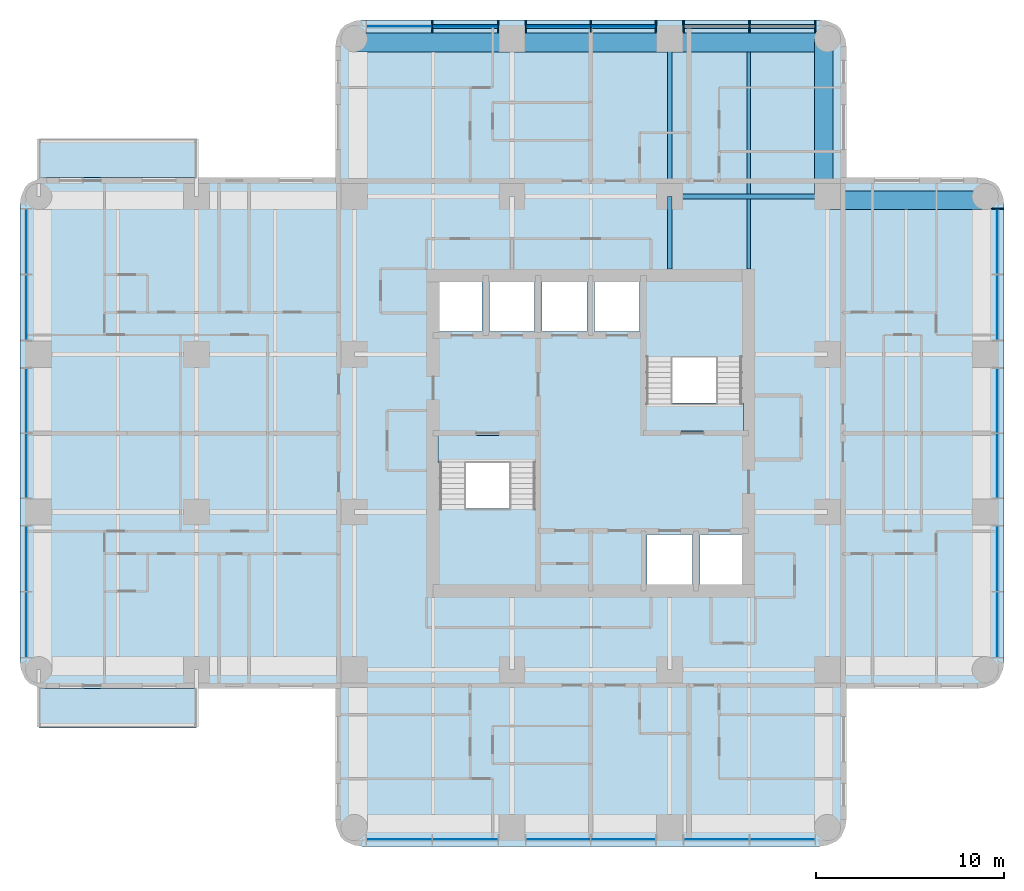
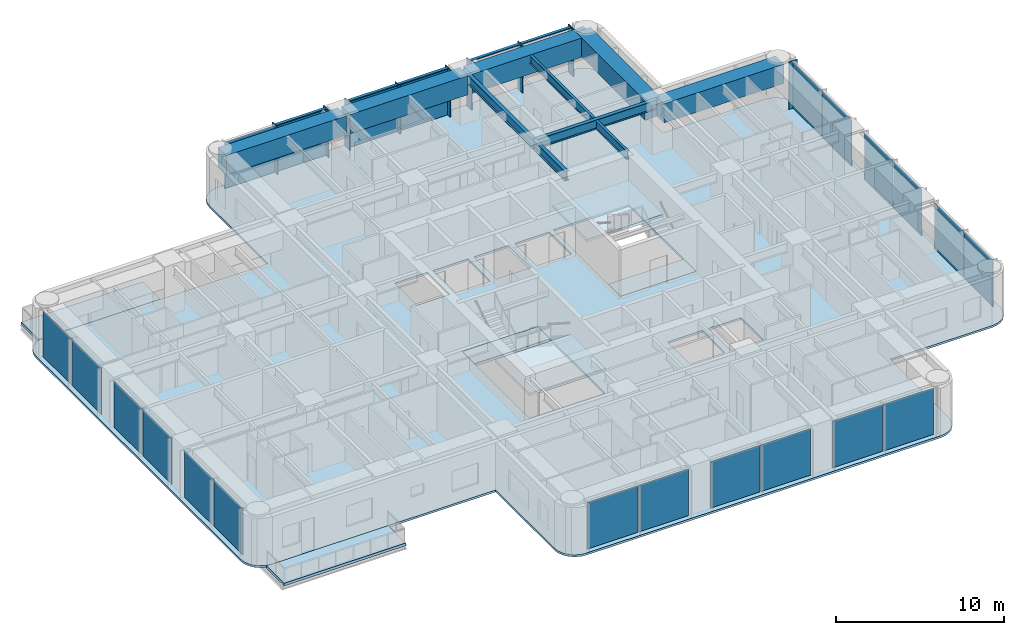
# One storey, part 3 of 11: 22 plates, 14 members, 10 beams, 7 slabs, 6 elements without a shape of their own.
"""IFC4 building model written with IfcOpenShell, lengths in metres."""

from ifc_helpers import new_model, si_unit, direction, frame, origin, origin_2d, place, context, subcontext, project, spatial, polyline, rectangle, i_section, outline, extrude, material, layer, layer_set, material_profile, profile_set, type_object, element, aggregate, save


model = new_model("IFC4")

# Units and contexts
model_context = context("Model", 3, precision=1e-05, world=origin(), true_north=direction((0.0, 1.0)))
body_context = subcontext(model_context, "Body", "Model", "MODEL_VIEW")
ifc_project = project(units=[si_unit("LENGTHUNIT", "METRE"), si_unit("AREAUNIT", "SQUARE_METRE"), si_unit("VOLUMEUNIT", "CUBIC_METRE"), si_unit("PLANEANGLEUNIT", "RADIAN"), si_unit("MASSUNIT", "GRAM", prefix="KILO")], contexts=[model_context])

# Site, building, storey
site_placement = place(None, origin())
site = spatial("IfcSite", under=ifc_project, at=site_placement, CompositionType="ELEMENT")
building_placement = place(site_placement, origin())
building = spatial("IfcBuilding", under=site, at=building_placement, Name="Torre Alcanfor", CompositionType="ELEMENT")
storey_placement = place(building_placement, frame((0.0, 0.0, 204.89990234375)))
storey = spatial("IfcBuildingStorey", under=building, at=storey_placement, Name="L53", CompositionType="ELEMENT", Elevation=204.89990234375)

# Curtain wall, member
ifc_material_1 = material(Name="Aluminium and glass", Category="aluminium")
curtain_wall_type = type_object("IfcCurtainWallType", Name="CW-A unitised apartment glazing with vertical FIN", PredefinedType="NOTDEFINED", material=ifc_material_1)
curtain_wall_1_placement = place(storey_placement, origin())
curtain_wall_1 = element("IfcCurtainWall", 1, at=curtain_wall_1_placement, inside=storey, type_object=curtain_wall_type, Name="Curtain wall CW-A L53 8", PredefinedType="NOTDEFINED")
ifc_material_2 = material(Name="Bronze anodised aluminium", Category="aluminium")
ifc_material_profile_1 = material_profile(ifc_material_2, rectangle(XDim=0.60009765625, YDim=0.06494140625, at=origin_2d()), Name="CW-A mullion 65x600")
ifc_profile_set_1 = profile_set([ifc_material_profile_1], Name="Bronze anodised aluminium")
member_type_1 = type_object("IfcMemberType", Name="CW-A mullion with vertical FIN 65x600", PredefinedType="MULLION", material=ifc_profile_set_1)
member_1_placement = place(storey_placement, frame((51.050048828125, 41.35546875, 0.0), z_axis=(0.0, 0.0, 1.0), x_axis=(-1.0, 0.0, 0.0)))
member_1 = element("IfcMember", 2, at=member_1_placement, type_object=member_type_1, Name="CW-A mullion 3.3", PredefinedType="MULLION", context=body_context, shape_type="SweptSolid", body=[
    extrude(rectangle(XDim=0.60009765625, YDim=0.06494140625, at=origin_2d()), origin(), (0.0, 0.0, 1.0), 3.4501953125),
])

# Curtain wall, members
curtain_wall_2_placement = place(storey_placement, origin())
curtain_wall_2 = element("IfcCurtainWall", 3, at=curtain_wall_2_placement, inside=storey, type_object=curtain_wall_type, Name="Curtain wall CW-A L53 11", PredefinedType="NOTDEFINED")
member_2_placement = place(storey_placement, frame((41.35546875, 51.050048828125, 0.0), z_axis=(0.0, 0.0, 1.0), x_axis=(0.0, -1.0, 0.0)))
member_2 = element("IfcMember", 4, at=member_2_placement, type_object=member_type_1, Name="CW-A mullion 1.1", PredefinedType="MULLION", context=body_context, shape_type="SweptSolid", body=[
    extrude(rectangle(XDim=0.60009765625, YDim=0.06494140625, at=origin_2d()), origin(), (0.0, 0.0, 1.0), 3.4501953125),
])
member_3_placement = place(storey_placement, frame((37.846435546875, 51.050048828125, 0.0), z_axis=(0.0, 0.0, 1.0), x_axis=(0.0, -1.0, 0.0)))
member_3 = element("IfcMember", 5, at=member_3_placement, type_object=member_type_1, Name="CW-A mullion 1.2", PredefinedType="MULLION", context=body_context, shape_type="SweptSolid", body=[
    extrude(rectangle(XDim=0.60009765625, YDim=0.06494140625, at=origin_2d()), origin(), (0.0, 0.0, 1.0), 3.4501953125),
])
member_4_placement = place(storey_placement, frame((34.33740234375, 51.050048828125, 0.0), z_axis=(0.0, 0.0, 1.0), x_axis=(0.0, -1.0, 0.0)))
member_4 = element("IfcMember", 6, at=member_4_placement, type_object=member_type_1, Name="CW-A mullion 1.3", PredefinedType="MULLION", context=body_context, shape_type="SweptSolid", body=[
    extrude(rectangle(XDim=0.60009765625, YDim=0.06494140625, at=origin_2d()), origin(), (0.0, 0.0, 1.0), 3.4501953125),
])
member_5_placement = place(storey_placement, frame((32.862548828125, 51.050048828125, 0.0), z_axis=(0.0, 0.0, 1.0), x_axis=(0.0, -1.0, 0.0)))
member_5 = element("IfcMember", 7, at=member_5_placement, type_object=member_type_1, Name="CW-A mullion 2.1", PredefinedType="MULLION", context=body_context, shape_type="SweptSolid", body=[
    extrude(rectangle(XDim=0.60009765625, YDim=0.06494140625, at=origin_2d()), origin(), (0.0, 0.0, 1.0), 3.4501953125),
])
member_6_placement = place(storey_placement, frame((29.39990234375, 51.050048828125, 0.0), z_axis=(0.0, 0.0, 1.0), x_axis=(0.0, -1.0, 0.0)))
member_6 = element("IfcMember", 8, at=member_6_placement, type_object=member_type_1, Name="CW-A mullion 2.2", PredefinedType="MULLION", context=body_context, shape_type="SweptSolid", body=[
    extrude(rectangle(XDim=0.60009765625, YDim=0.06494140625, at=origin_2d()), origin(), (0.0, 0.0, 1.0), 3.4501953125),
])
member_7_placement = place(storey_placement, frame((25.9375, 51.050048828125, 0.0), z_axis=(0.0, 0.0, 1.0), x_axis=(0.0, -1.0, 0.0)))
member_7 = element("IfcMember", 9, at=member_7_placement, type_object=member_type_1, Name="CW-A mullion 2.3", PredefinedType="MULLION", context=body_context, shape_type="SweptSolid", body=[
    extrude(rectangle(XDim=0.60009765625, YDim=0.06494140625, at=origin_2d()), origin(), (0.0, 0.0, 1.0), 3.4501953125),
])
member_8_placement = place(storey_placement, frame((24.46240234375, 51.050048828125, 0.0), z_axis=(0.0, 0.0, 1.0), x_axis=(0.0, -1.0, 0.0)))
member_8 = element("IfcMember", 10, at=member_8_placement, type_object=member_type_1, Name="CW-A mullion 3.1", PredefinedType="MULLION", context=body_context, shape_type="SweptSolid", body=[
    extrude(rectangle(XDim=0.60009765625, YDim=0.06494140625, at=origin_2d()), origin(), (0.0, 0.0, 1.0), 3.4501953125),
])
member_9_placement = place(storey_placement, frame((20.95361328125, 51.050048828125, 0.0), z_axis=(0.0, 0.0, 1.0), x_axis=(0.0, -1.0, 0.0)))
member_9 = element("IfcMember", 11, at=member_9_placement, type_object=member_type_1, Name="CW-A mullion 3.2", PredefinedType="MULLION", context=body_context, shape_type="SweptSolid", body=[
    extrude(rectangle(XDim=0.60009765625, YDim=0.06494140625, at=origin_2d()), origin(), (0.0, 0.0, 1.0), 3.4501953125),
])
ifc_material_3 = material(Name="Extruded aluminium", Category="aluminium")
ifc_material_profile_2 = material_profile(ifc_material_3, rectangle(XDim=0.199951171875, YDim=0.06494140625, at=origin_2d()), Name="CW-A transom 200x65")
ifc_profile_set_2 = profile_set([ifc_material_profile_2], Name="Extruded aluminium")
member_type_2 = type_object("IfcMemberType", Name="CW-A transom 65x200", PredefinedType="USERDEFINED", material=ifc_profile_set_2)
member_10_placement = place(storey_placement, frame((41.322998046875, 51.050048828125, 3.41748046875), z_axis=(-1.0, 0.0, 0.0), x_axis=(0.0, -1.0, 0.0)))
member_10 = element("IfcMember", 12, at=member_10_placement, type_object=member_type_2, Name="CW-A transom 1.1.2", ObjectType="TRANSOM", PredefinedType="USERDEFINED", context=body_context, shape_type="SweptSolid", body=[
    extrude(rectangle(XDim=0.199951171875, YDim=0.06494140625, at=origin_2d()), origin(), (0.0, 0.0, 1.0), 3.444091796875),
])
member_11_placement = place(storey_placement, frame((37.81396484375, 51.050048828125, 3.41748046875), z_axis=(-1.0, 0.0, 0.0), x_axis=(0.0, -1.0, 0.0)))
member_11 = element("IfcMember", 13, at=member_11_placement, type_object=member_type_2, Name="CW-A transom 1.2.2", ObjectType="TRANSOM", PredefinedType="USERDEFINED", context=body_context, shape_type="SweptSolid", body=[
    extrude(rectangle(XDim=0.199951171875, YDim=0.06494140625, at=origin_2d()), origin(), (0.0, 0.0, 1.0), 3.44384765625),
])
member_12_placement = place(storey_placement, frame((32.830078125, 51.050048828125, 3.41748046875), z_axis=(-1.0, 0.0, 0.0), x_axis=(0.0, -1.0, 0.0)))
member_12 = element("IfcMember", 14, at=member_12_placement, type_object=member_type_2, Name="CW-A transom 2.1.2", ObjectType="TRANSOM", PredefinedType="USERDEFINED", context=body_context, shape_type="SweptSolid", body=[
    extrude(rectangle(XDim=0.199951171875, YDim=0.06494140625, at=origin_2d()), origin(), (0.0, 0.0, 1.0), 3.3974609375),
])
member_13_placement = place(storey_placement, frame((29.367431640625, 51.050048828125, 3.41748046875), z_axis=(-1.0, 0.0, 0.0), x_axis=(0.0, -1.0, 0.0)))
member_13 = element("IfcMember", 15, at=member_13_placement, type_object=member_type_2, Name="CW-A transom 2.2.2", ObjectType="TRANSOM", PredefinedType="USERDEFINED", context=body_context, shape_type="SweptSolid", body=[
    extrude(rectangle(XDim=0.199951171875, YDim=0.06494140625, at=origin_2d()), origin(), (0.0, 0.0, 1.0), 3.3974609375),
])
member_14_placement = place(storey_placement, frame((24.429931640625, 51.050048828125, 3.41748046875), z_axis=(-1.0, 0.0, 0.0), x_axis=(0.0, -1.0, 0.0)))
member_14 = element("IfcMember", 16, at=member_14_placement, type_object=member_type_2, Name="CW-A transom 3.1.2", ObjectType="TRANSOM", PredefinedType="USERDEFINED", context=body_context, shape_type="SweptSolid", body=[
    extrude(rectangle(XDim=0.199951171875, YDim=0.06494140625, at=origin_2d()), origin(), (0.0, 0.0, 1.0), 3.44384765625),
])

# Beams
ifc_material_4 = material(Name="Steel ASTM A992 Grade 50", Category="steel")
ifc_material_profile_3 = material_profile(ifc_material_4, i_section(OverallWidth=0.25390625, OverallDepth=0.683349609375, WebThickness=0.012451171875, FlangeThickness=0.01904296875, at=origin_2d()), Name="W27x94")
ifc_profile_set_3 = profile_set([ifc_material_profile_3], Name="Steel ASTM A992 Grade 50")
beam_type_1 = type_object("IfcBeamType", Name="Girder W27x94", PredefinedType="BEAM", material=ifc_profile_set_3)
for number, where, z_axis, x_axis, name in (
    (17, (33.60009765625, 42.0, 3.1083984375), (1.0, 0.0, 0.0), (0.0, 1.0, 0.0), "Beam 5H-6H under L54"),
    (18, (33.60009765625, 42.0, 3.1083984375), (0.0, 1.0, 0.0), (-1.0, 0.0, 0.0), "Beam 5H-5J under L54"),
):
    element("IfcBeam", number, at=place(storey_placement, frame(where, z_axis=z_axis, x_axis=x_axis)), inside=storey, type_object=beam_type_1, Name=name, PredefinedType="BEAM", context=body_context, shape_type="SweptSolid", body=[
        extrude(i_section(OverallWidth=0.25390625, OverallDepth=0.683349609375, WebThickness=0.012451171875, FlangeThickness=0.01904296875, at=origin_2d()), origin(), (0.0, 0.0, 1.0), 8.39990234375),
    ])
ifc_material_5 = material(Name="Steel ASTM A992 Grade 50", Category="steel")
ifc_material_profile_4 = material_profile(ifc_material_5, i_section(OverallWidth=0.25390625, OverallDepth=0.683349609375, WebThickness=0.012451171875, FlangeThickness=0.01904296875, at=origin_2d()), Name="W27x94")
ifc_profile_set_4 = profile_set([ifc_material_profile_4], Name="Steel ASTM A992 Grade 50")
beam_type_2 = type_object("IfcBeamType", Name="Girder, part bay W27x94", PredefinedType="BEAM", material=ifc_profile_set_4)
beam_1_placement = place(storey_placement, frame((33.60009765625, 42.0, 3.1083984375), z_axis=(0.0, -1.0, 0.0), x_axis=(1.0, 0.0, 0.0)))
element("IfcBeam", 19, at=beam_1_placement, inside=storey, type_object=beam_type_2, Name="Beam 5H-538_15 under L54", PredefinedType="BEAM", context=body_context, shape_type="SweptSolid", body=[
    extrude(i_section(OverallWidth=0.25390625, OverallDepth=0.683349609375, WebThickness=0.012451171875, FlangeThickness=0.01904296875, at=origin_2d()), origin(), (0.0, 0.0, 1.0), 3.85009765625),
])
ifc_material_6 = material(Name="Concrete f'c 70 MPa", Category="concrete")
ifc_material_profile_5 = material_profile(ifc_material_6, rectangle(XDim=1.0, YDim=1.39990234375, at=origin_2d()), Name="1000x1400")
ifc_profile_set_5 = profile_set([ifc_material_profile_5], Name="Concrete f'c 70 MPa")
beam_type_3 = type_object("IfcBeamType", Name="RC perimeter beam 1000x1400", PredefinedType="BEAM", material=ifc_profile_set_5)
for number, where, z_axis, x_axis, name in (
    (20, (42.126953125, 41.800048828125, 2.75), (1.0, 0.0, 0.0), (0.0, 1.0, 0.0), "Beam 6H-7H under L54"),
    (21, (16.800048828125, 50.199951171875, 2.75), (1.0, 0.0, 0.0), (0.0, 1.0, 0.0), "Beam 3J-4J under L54"),
):
    element("IfcBeam", number, at=place(storey_placement, frame(where, z_axis=z_axis, x_axis=x_axis)), inside=storey, type_object=beam_type_3, Name=name, PredefinedType="BEAM", context=body_context, shape_type="SweptSolid", body=[
        extrude(rectangle(XDim=1.0, YDim=1.39990234375, at=origin_2d()), origin(), (0.0, 0.0, 1.0), 8.27294921875),
    ])
beam_2_placement = place(storey_placement, frame((25.326904296875, 50.199951171875, 2.75), z_axis=(1.0, 0.0, 0.0), x_axis=(0.0, 1.0, 0.0)))
element("IfcBeam", 22, at=beam_2_placement, inside=storey, type_object=beam_type_3, Name="Beam 4J-5J under L54", PredefinedType="BEAM", context=body_context, shape_type="SweptSolid", body=[
    extrude(rectangle(XDim=1.0, YDim=1.39990234375, at=origin_2d()), origin(), (0.0, 0.0, 1.0), 8.14599609375),
])
for number, where, z_axis, x_axis, name in (
    (23, (33.72705078125, 50.199951171875, 2.75), (1.0, 0.0, 0.0), (0.0, 1.0, 0.0), "Beam 5J-6J under L54"),
    (24, (41.800048828125, 42.126953125, 2.75), (0.0, 1.0, 0.0), (-1.0, 0.0, 0.0), "Beam 6H-6J under L54"),
):
    element("IfcBeam", number, at=place(storey_placement, frame(where, z_axis=z_axis, x_axis=x_axis)), inside=storey, type_object=beam_type_3, Name=name, PredefinedType="BEAM", context=body_context, shape_type="SweptSolid", body=[
        extrude(rectangle(XDim=1.0, YDim=1.39990234375, at=origin_2d()), origin(), (0.0, 0.0, 1.0), 8.27294921875),
    ])
ifc_material_7 = material(Name="Steel ASTM A992 Grade 50", Category="steel")
ifc_material_profile_6 = material_profile(ifc_material_7, i_section(OverallWidth=0.1787109375, OverallDepth=0.60205078125, WebThickness=0.010986328125, FlangeThickness=0.014892578125, at=origin_2d()), Name="W24x62")
ifc_profile_set_6 = profile_set([ifc_material_profile_6], Name="Steel ASTM A992 Grade 50")
beam_type_4 = type_object("IfcBeamType", Name="Secondary beam W24x62", PredefinedType="BEAM", material=ifc_profile_set_6)
beam_3_placement = place(storey_placement, frame((37.800048828125, 42.126953125, 3.149169921875), z_axis=(0.0, 1.0, 0.0), x_axis=(-1.0, 0.0, 0.0)))
element("IfcBeam", 25, at=beam_3_placement, inside=storey, type_object=beam_type_4, Name="Beam 37_8H-37_8J under L54", PredefinedType="BEAM", context=body_context, shape_type="SweptSolid", body=[
    extrude(i_section(OverallWidth=0.1787109375, OverallDepth=0.60205078125, WebThickness=0.010986328125, FlangeThickness=0.014892578125, at=origin_2d()), origin(), (0.0, 0.0, 1.0), 7.572998046875),
])
ifc_material_8 = material(Name="Steel ASTM A992 Grade 50", Category="steel")
ifc_material_profile_7 = material_profile(ifc_material_8, i_section(OverallWidth=0.1787109375, OverallDepth=0.60205078125, WebThickness=0.010986328125, FlangeThickness=0.014892578125, at=origin_2d()), Name="W24x62")
ifc_profile_set_7 = profile_set([ifc_material_profile_7], Name="Steel ASTM A992 Grade 50")
beam_type_5 = type_object("IfcBeamType", Name="Secondary beam, part bay W24x62", PredefinedType="BEAM", material=ifc_profile_set_7)
beam_4_placement = place(storey_placement, frame((37.800048828125, 38.14990234375, 3.149169921875), z_axis=(0.0, 1.0, 0.0), x_axis=(-1.0, 0.0, 0.0)))
element("IfcBeam", 26, at=beam_4_placement, inside=storey, type_object=beam_type_5, Name="Beam 37_838_15-37_8H under L54", PredefinedType="BEAM", context=body_context, shape_type="SweptSolid", body=[
    extrude(i_section(OverallWidth=0.1787109375, OverallDepth=0.60205078125, WebThickness=0.010986328125, FlangeThickness=0.014892578125, at=origin_2d()), origin(), (0.0, 0.0, 1.0), 3.72314453125),
])

# Slabs
ifc_material_9 = material(Name="Concrete f'c 35 MPa", Category="concrete")
ifc_layer_1 = layer(ifc_material_9, 0.199951171875)
ifc_layer_set_1 = layer_set([ifc_layer_1], Name="Balcony slab 200")
slab_type_1 = type_object("IfcSlabType", Name="Balcony slab 200", PredefinedType="FLOOR", material=ifc_layer_set_1)
slab_1_placement = place(storey_placement, frame((0.0, 0.0, -0.199951171875)))
element("IfcSlab", 27, at=slab_1_placement, inside=storey, type_object=slab_type_1, Name="Balcony L53-W1", PredefinedType="FLOOR", context=body_context, shape_type="SweptSolid", body=[
    extrude(outline(polyline([(8.39990234375, 15.800048828125), (0.0, 15.800048828125), (0.0, 13.699951171875), (8.39990234375, 13.699951171875), (8.39990234375, 15.800048828125)])), origin(), (0.0, 0.0, 1.0), 0.199951171875),
])
slab_2_placement = place(storey_placement, frame((0.0, 0.0, -0.199951171875)))
element("IfcSlab", 28, at=slab_2_placement, inside=storey, type_object=slab_type_1, Name="Balcony L53-W2", PredefinedType="FLOOR", context=body_context, shape_type="SweptSolid", body=[
    extrude(outline(polyline([(8.39990234375, 45.10009765625), (0.0, 45.10009765625), (0.0, 43.0), (8.39990234375, 43.0), (8.39990234375, 45.10009765625)])), origin(), (0.0, 0.0, 1.0), 0.199951171875),
])

# Curtain wall, plates
curtain_wall_3_placement = place(storey_placement, origin())
curtain_wall_3 = element("IfcCurtainWall", 29, at=curtain_wall_3_placement, inside=storey, type_object=curtain_wall_type, Name="Curtain wall CW-A L53 2", PredefinedType="NOTDEFINED")
ifc_material_10 = material(Name="Glass", Category="glass")
ifc_layer_2 = layer(ifc_material_10, 0.028076171875)
ifc_layer_set_2 = layer_set([ifc_layer_2], Name="CW-A clear double glazed unit")
plate_type = type_object("IfcPlateType", Name="CW-A clear double glazed unit", PredefinedType="CURTAIN_PANEL", material=ifc_layer_set_2)
plate_1_placement = place(storey_placement, frame((-0.64990234375, 39.60107421875, 0.0), z_axis=(0.0, 0.0, 1.0), x_axis=(0.0, -1.0, 0.0)))
plate_1 = element("IfcPlate", 30, at=plate_1_placement, type_object=plate_type, Name="CW-A panel 1.1.1", PredefinedType="CURTAIN_PANEL", context=body_context, shape_type="SweptSolid", body=[
    extrude(rectangle(XDim=3.444091796875, YDim=0.028076171875, at=origin_2d()), origin(), (0.0, 0.0, 1.0), 3.385009765625),
])
plate_2_placement = place(storey_placement, frame((-0.64990234375, 36.092041015625, 0.0), z_axis=(0.0, 0.0, 1.0), x_axis=(0.0, -1.0, 0.0)))
plate_2 = element("IfcPlate", 31, at=plate_2_placement, type_object=plate_type, Name="CW-A panel 1.2.1", PredefinedType="CURTAIN_PANEL", context=body_context, shape_type="SweptSolid", body=[
    extrude(rectangle(XDim=3.444091796875, YDim=0.028076171875, at=origin_2d()), origin(), (0.0, 0.0, 1.0), 3.385009765625),
])
plate_3_placement = place(storey_placement, frame((-0.64990234375, 31.13134765625, 0.0), z_axis=(0.0, 0.0, 1.0), x_axis=(0.0, -1.0, 0.0)))
plate_3 = element("IfcPlate", 32, at=plate_3_placement, type_object=plate_type, Name="CW-A panel 2.1.1", PredefinedType="CURTAIN_PANEL", context=body_context, shape_type="SweptSolid", body=[
    extrude(rectangle(XDim=3.3974609375, YDim=0.028076171875, at=origin_2d()), origin(), (0.0, 0.0, 1.0), 3.385009765625),
])
plate_4_placement = place(storey_placement, frame((-0.64990234375, 27.668701171875, 0.0), z_axis=(0.0, 0.0, 1.0), x_axis=(0.0, -1.0, 0.0)))
plate_4 = element("IfcPlate", 33, at=plate_4_placement, type_object=plate_type, Name="CW-A panel 2.2.1", PredefinedType="CURTAIN_PANEL", context=body_context, shape_type="SweptSolid", body=[
    extrude(rectangle(XDim=3.3974609375, YDim=0.028076171875, at=origin_2d()), origin(), (0.0, 0.0, 1.0), 3.385009765625),
])
plate_5_placement = place(storey_placement, frame((-0.64990234375, 22.7080078125, 0.0), z_axis=(0.0, 0.0, 1.0), x_axis=(0.0, -1.0, 0.0)))
plate_5 = element("IfcPlate", 34, at=plate_5_placement, type_object=plate_type, Name="CW-A panel 3.1.1", PredefinedType="CURTAIN_PANEL", context=body_context, shape_type="SweptSolid", body=[
    extrude(rectangle(XDim=3.444091796875, YDim=0.028076171875, at=origin_2d()), origin(), (0.0, 0.0, 1.0), 3.385009765625),
])
plate_6_placement = place(storey_placement, frame((-0.64990234375, 19.198974609375, 0.0), z_axis=(0.0, 0.0, 1.0), x_axis=(0.0, -1.0, 0.0)))
plate_6 = element("IfcPlate", 35, at=plate_6_placement, type_object=plate_type, Name="CW-A panel 3.2.1", PredefinedType="CURTAIN_PANEL", context=body_context, shape_type="SweptSolid", body=[
    extrude(rectangle(XDim=3.444091796875, YDim=0.028076171875, at=origin_2d()), origin(), (0.0, 0.0, 1.0), 3.385009765625),
])
aggregate(curtain_wall_3, [plate_1, plate_2, plate_3, plate_4, plate_5, plate_6])

curtain_wall_4_placement = place(storey_placement, origin())
curtain_wall_4 = element("IfcCurtainWall", 36, at=curtain_wall_4_placement, inside=storey, type_object=curtain_wall_type, Name="Curtain wall CW-A L53 5", PredefinedType="NOTDEFINED")
plate_7_placement = place(storey_placement, frame((19.198974609375, 7.75, 0.0), z_axis=(0.0, 0.0, 1.0), x_axis=(1.0, 0.0, 0.0)))
plate_7 = element("IfcPlate", 37, at=plate_7_placement, type_object=plate_type, Name="CW-A panel 1.1.1", PredefinedType="CURTAIN_PANEL", context=body_context, shape_type="SweptSolid", body=[
    extrude(rectangle(XDim=3.444091796875, YDim=0.028076171875, at=origin_2d()), origin(), (0.0, 0.0, 1.0), 3.385009765625),
])
plate_8_placement = place(storey_placement, frame((22.7080078125, 7.75, 0.0), z_axis=(0.0, 0.0, 1.0), x_axis=(1.0, 0.0, 0.0)))
plate_8 = element("IfcPlate", 38, at=plate_8_placement, type_object=plate_type, Name="CW-A panel 1.2.1", PredefinedType="CURTAIN_PANEL", context=body_context, shape_type="SweptSolid", body=[
    extrude(rectangle(XDim=3.444091796875, YDim=0.028076171875, at=origin_2d()), origin(), (0.0, 0.0, 1.0), 3.385009765625),
])
plate_9_placement = place(storey_placement, frame((27.668701171875, 7.75, 0.0), z_axis=(0.0, 0.0, 1.0), x_axis=(1.0, 0.0, 0.0)))
plate_9 = element("IfcPlate", 39, at=plate_9_placement, type_object=plate_type, Name="CW-A panel 2.1.1", PredefinedType="CURTAIN_PANEL", context=body_context, shape_type="SweptSolid", body=[
    extrude(rectangle(XDim=3.3974609375, YDim=0.028076171875, at=origin_2d()), origin(), (0.0, 0.0, 1.0), 3.385009765625),
])
plate_10_placement = place(storey_placement, frame((31.13134765625, 7.75, 0.0), z_axis=(0.0, 0.0, 1.0), x_axis=(1.0, 0.0, 0.0)))
plate_10 = element("IfcPlate", 40, at=plate_10_placement, type_object=plate_type, Name="CW-A panel 2.2.1", PredefinedType="CURTAIN_PANEL", context=body_context, shape_type="SweptSolid", body=[
    extrude(rectangle(XDim=3.3974609375, YDim=0.028076171875, at=origin_2d()), origin(), (0.0, 0.0, 1.0), 3.385009765625),
])
plate_11_placement = place(storey_placement, frame((36.092041015625, 7.75, 0.0), z_axis=(0.0, 0.0, 1.0), x_axis=(1.0, 0.0, 0.0)))
plate_11 = element("IfcPlate", 41, at=plate_11_placement, type_object=plate_type, Name="CW-A panel 3.1.1", PredefinedType="CURTAIN_PANEL", context=body_context, shape_type="SweptSolid", body=[
    extrude(rectangle(XDim=3.444091796875, YDim=0.028076171875, at=origin_2d()), origin(), (0.0, 0.0, 1.0), 3.385009765625),
])
plate_12_placement = place(storey_placement, frame((39.60107421875, 7.75, 0.0), z_axis=(0.0, 0.0, 1.0), x_axis=(1.0, 0.0, 0.0)))
plate_12 = element("IfcPlate", 42, at=plate_12_placement, type_object=plate_type, Name="CW-A panel 3.2.1", PredefinedType="CURTAIN_PANEL", context=body_context, shape_type="SweptSolid", body=[
    extrude(rectangle(XDim=3.444091796875, YDim=0.028076171875, at=origin_2d()), origin(), (0.0, 0.0, 1.0), 3.385009765625),
])
aggregate(curtain_wall_4, [plate_7, plate_8, plate_9, plate_10, plate_11, plate_12])

# Plate
plate_13_placement = place(storey_placement, frame((51.050048828125, 19.198974609375, 0.0), z_axis=(0.0, 0.0, 1.0), x_axis=(0.0, 1.0, 0.0)))
plate_13 = element("IfcPlate", 43, at=plate_13_placement, type_object=plate_type, Name="CW-A panel 1.1.1", PredefinedType="CURTAIN_PANEL", context=body_context, shape_type="SweptSolid", body=[
    extrude(rectangle(XDim=3.444091796875, YDim=0.028076171875, at=origin_2d()), origin(), (0.0, 0.0, 1.0), 3.385009765625),
])

plate_14_placement = place(storey_placement, frame((51.050048828125, 22.7080078125, 0.0), z_axis=(0.0, 0.0, 1.0), x_axis=(0.0, 1.0, 0.0)))
plate_14 = element("IfcPlate", 44, at=plate_14_placement, type_object=plate_type, Name="CW-A panel 1.2.1", PredefinedType="CURTAIN_PANEL", context=body_context, shape_type="SweptSolid", body=[
    extrude(rectangle(XDim=3.444091796875, YDim=0.028076171875, at=origin_2d()), origin(), (0.0, 0.0, 1.0), 3.385009765625),
])

plate_15_placement = place(storey_placement, frame((51.050048828125, 27.668701171875, 0.0), z_axis=(0.0, 0.0, 1.0), x_axis=(0.0, 1.0, 0.0)))
plate_15 = element("IfcPlate", 45, at=plate_15_placement, type_object=plate_type, Name="CW-A panel 2.1.1", PredefinedType="CURTAIN_PANEL", context=body_context, shape_type="SweptSolid", body=[
    extrude(rectangle(XDim=3.3974609375, YDim=0.028076171875, at=origin_2d()), origin(), (0.0, 0.0, 1.0), 3.385009765625),
])

plate_16_placement = place(storey_placement, frame((51.050048828125, 31.13134765625, 0.0), z_axis=(0.0, 0.0, 1.0), x_axis=(0.0, 1.0, 0.0)))
plate_16 = element("IfcPlate", 46, at=plate_16_placement, type_object=plate_type, Name="CW-A panel 2.2.1", PredefinedType="CURTAIN_PANEL", context=body_context, shape_type="SweptSolid", body=[
    extrude(rectangle(XDim=3.3974609375, YDim=0.028076171875, at=origin_2d()), origin(), (0.0, 0.0, 1.0), 3.385009765625),
])

plate_17_placement = place(storey_placement, frame((51.050048828125, 36.092041015625, 0.0), z_axis=(0.0, 0.0, 1.0), x_axis=(0.0, 1.0, 0.0)))
plate_17 = element("IfcPlate", 47, at=plate_17_placement, type_object=plate_type, Name="CW-A panel 3.1.1", PredefinedType="CURTAIN_PANEL", context=body_context, shape_type="SweptSolid", body=[
    extrude(rectangle(XDim=3.444091796875, YDim=0.028076171875, at=origin_2d()), origin(), (0.0, 0.0, 1.0), 3.385009765625),
])

plate_18_placement = place(storey_placement, frame((51.050048828125, 39.60107421875, 0.0), z_axis=(0.0, 0.0, 1.0), x_axis=(0.0, 1.0, 0.0)))
plate_18 = element("IfcPlate", 48, at=plate_18_placement, type_object=plate_type, Name="CW-A panel 3.2.1", PredefinedType="CURTAIN_PANEL", context=body_context, shape_type="SweptSolid", body=[
    extrude(rectangle(XDim=3.444091796875, YDim=0.028076171875, at=origin_2d()), origin(), (0.0, 0.0, 1.0), 3.385009765625),
])

aggregate(curtain_wall_1, [plate_13, plate_14, plate_15, plate_16, member_1, plate_17, plate_18])

plate_19_placement = place(storey_placement, frame((31.13134765625, 51.050048828125, 0.0), z_axis=(0.0, 0.0, 1.0), x_axis=(-1.0, 0.0, 0.0)))
plate_19 = element("IfcPlate", 49, at=plate_19_placement, type_object=plate_type, Name="CW-A panel 2.1.1", PredefinedType="CURTAIN_PANEL", context=body_context, shape_type="SweptSolid", body=[
    extrude(rectangle(XDim=3.3974609375, YDim=0.028076171875, at=origin_2d()), origin(), (0.0, 0.0, 1.0), 3.385009765625),
])

plate_20_placement = place(storey_placement, frame((27.668701171875, 51.050048828125, 0.0), z_axis=(0.0, 0.0, 1.0), x_axis=(-1.0, 0.0, 0.0)))
plate_20 = element("IfcPlate", 50, at=plate_20_placement, type_object=plate_type, Name="CW-A panel 2.2.1", PredefinedType="CURTAIN_PANEL", context=body_context, shape_type="SweptSolid", body=[
    extrude(rectangle(XDim=3.3974609375, YDim=0.028076171875, at=origin_2d()), origin(), (0.0, 0.0, 1.0), 3.385009765625),
])

plate_21_placement = place(storey_placement, frame((22.7080078125, 51.050048828125, 0.0), z_axis=(0.0, 0.0, 1.0), x_axis=(-1.0, 0.0, 0.0)))
plate_21 = element("IfcPlate", 51, at=plate_21_placement, type_object=plate_type, Name="CW-A panel 3.1.1", PredefinedType="CURTAIN_PANEL", context=body_context, shape_type="SweptSolid", body=[
    extrude(rectangle(XDim=3.444091796875, YDim=0.028076171875, at=origin_2d()), origin(), (0.0, 0.0, 1.0), 3.385009765625),
])

plate_22_placement = place(storey_placement, frame((19.198974609375, 51.050048828125, 0.0), z_axis=(0.0, 0.0, 1.0), x_axis=(-1.0, 0.0, 0.0)))
plate_22 = element("IfcPlate", 52, at=plate_22_placement, type_object=plate_type, Name="CW-A panel 3.2.1", PredefinedType="CURTAIN_PANEL", context=body_context, shape_type="SweptSolid", body=[
    extrude(rectangle(XDim=3.444091796875, YDim=0.028076171875, at=origin_2d()), origin(), (0.0, 0.0, 1.0), 3.385009765625),
])

aggregate(curtain_wall_2, [member_2, member_3, member_4, member_10, member_11, member_5, member_6, member_7, member_12, plate_19, member_13, plate_20, member_8, member_9, member_14, plate_21, plate_22])

# Slab
ifc_material_11 = material(Name="Concrete f'c 35 MPa", Category="concrete")
ifc_layer_3 = layer(ifc_material_11, 0.14990234375)
ifc_layer_set_3 = layer_set([ifc_layer_3], Name="Composite floor 150 on metal deck")
slab_type_2 = type_object("IfcSlabType", Name="Composite floor 150 on metal deck", PredefinedType="FLOOR", material=ifc_layer_set_3)
slab_3_placement = place(storey_placement, frame((0.0, 0.0, -0.14990234375)))
element("IfcSlab", 53, at=slab_3_placement, inside=storey, type_object=slab_type_2, Name="Floor slab L53", PredefinedType="FLOOR", context=body_context, shape_type="SweptSolid", body=[
    extrude(outline(polyline([(15.800048828125, 43.0), (0.39990234375, 43.0), (0.03759765625, 42.952392578125), (-0.300048828125, 42.8125), (-0.58984375, 42.58984375), (-0.8125, 42.300048828125), (-0.952392578125, 41.96240234375), (-1.0, 41.60009765625), (-1.0, 17.199951171875), (-0.952392578125, 16.837646484375), (-0.8125, 16.5), (-0.58984375, 16.210205078125), (-0.300048828125, 15.987548828125), (0.03759765625, 15.84765625), (0.39990234375, 15.800048828125), (15.800048828125, 15.800048828125), (15.800048828125, 8.800048828125), (15.84765625, 8.437744140625), (15.987548828125, 8.10009765625), (16.210205078125, 7.81005859375), (16.5, 7.587646484375), (16.837646484375, 7.44775390625), (17.199951171875, 7.39990234375), (41.60009765625, 7.39990234375), (41.96240234375, 7.44775390625), (42.300048828125, 7.587646484375), (42.58984375, 7.81005859375), (42.8125, 8.10009765625), (42.952392578125, 8.437744140625), (43.0, 8.800048828125), (43.0, 15.800048828125), (50.0, 15.800048828125), (50.3623046875, 15.84765625), (50.699951171875, 15.987548828125), (50.989990234375, 16.210205078125), (51.21240234375, 16.5), (51.352294921875, 16.837646484375), (51.39990234375, 17.199951171875), (51.39990234375, 41.60009765625), (51.352294921875, 41.96240234375), (51.21240234375, 42.300048828125), (50.989990234375, 42.58984375), (50.699951171875, 42.8125), (50.3623046875, 42.952392578125), (50.0, 43.0), (43.0, 43.0), (43.0, 50.0), (42.952392578125, 50.3623046875), (42.8125, 50.699951171875), (42.58984375, 50.989990234375), (42.300048828125, 51.21240234375), (41.96240234375, 51.352294921875), (41.60009765625, 51.39990234375), (17.199951171875, 51.39990234375), (16.837646484375, 51.352294921875), (16.5, 51.21240234375), (16.210205078125, 50.989990234375), (15.987548828125, 50.699951171875), (15.84765625, 50.3623046875), (15.800048828125, 50.0), (15.800048828125, 43.0)]), holes=[polyline([(21.27001953125, 21.27001953125), (26.47998046875, 21.27001953125), (26.47998046875, 29.280029296875), (21.27001953125, 29.280029296875), (21.27001953125, 21.27001953125)]), polyline([(32.320068359375, 29.52001953125), (37.530029296875, 29.52001953125), (37.530029296875, 37.530029296875), (32.320068359375, 37.530029296875), (32.320068359375, 29.52001953125)]), polyline([(32.39990234375, 21.35009765625), (34.800048828125, 21.35009765625), (34.800048828125, 24.0), (32.39990234375, 24.0), (32.39990234375, 21.35009765625)]), polyline([(35.199951171875, 21.35009765625), (37.449951171875, 21.35009765625), (37.449951171875, 24.0), (35.199951171875, 24.0), (35.199951171875, 21.35009765625)]), polyline([(21.35009765625, 34.800048828125), (23.60009765625, 34.800048828125), (23.60009765625, 37.449951171875), (21.35009765625, 37.449951171875), (21.35009765625, 34.800048828125)]), polyline([(24.0, 34.800048828125), (26.39990234375, 34.800048828125), (26.39990234375, 37.449951171875), (24.0, 37.449951171875), (24.0, 34.800048828125)]), polyline([(26.800048828125, 34.800048828125), (29.199951171875, 34.800048828125), (29.199951171875, 37.449951171875), (26.800048828125, 37.449951171875), (26.800048828125, 34.800048828125)]), polyline([(29.60009765625, 34.800048828125), (32.0, 34.800048828125), (32.0, 37.449951171875), (29.60009765625, 37.449951171875), (29.60009765625, 34.800048828125)])]), origin(), (0.0, 0.0, 1.0), 0.14990234375),
])

# Stair, slabs
ifc_material_12 = material(Name="Concrete f'c 35 MPa", Category="concrete")
stair_type_1 = type_object("IfcStairType", Name="Exit stair S1 1400 wide", PredefinedType="HALF_TURN_STAIR", material=ifc_material_12)
stair_1_placement = place(storey_placement, origin())
stair_1 = element("IfcStair", 54, at=stair_1_placement, inside=storey, type_object=stair_type_1, Name="Stair S1 L53 to L54", PredefinedType="HALF_TURN_STAIR")
ifc_material_13 = material(Name="Concrete f'c 35 MPa", Category="concrete")
ifc_layer_4 = layer(ifc_material_13, 0.199951171875)
ifc_layer_set_4 = layer_set([ifc_layer_4], Name="Stair landing 200")
slab_type_3 = type_object("IfcSlabType", Name="Stair landing 200", PredefinedType="LANDING", material=ifc_layer_set_4)
slab_4_placement = place(storey_placement, frame((0.0, 0.0, -0.199951171875)))
slab_4 = element("IfcSlab", 55, at=slab_4_placement, type_object=slab_type_3, Name="S1 landing 1", PredefinedType="LANDING", context=body_context, shape_type="SweptSolid", body=[
    extrude(outline(polyline([(21.27001953125, 27.800048828125), (26.47998046875, 27.800048828125), (26.47998046875, 29.280029296875), (21.27001953125, 29.280029296875), (21.27001953125, 27.800048828125)])), origin(), (0.0, 0.0, 1.0), 0.199951171875),
])
slab_5_placement = place(storey_placement, frame((0.0, 0.0, 1.60009765625)))
slab_5 = element("IfcSlab", 56, at=slab_5_placement, type_object=slab_type_3, Name="S1 landing 2", PredefinedType="LANDING", context=body_context, shape_type="SweptSolid", body=[
    extrude(outline(polyline([(21.27001953125, 21.27001953125), (26.530029296875, 21.27001953125), (26.530029296875, 25.3798828125), (21.27001953125, 25.3798828125), (21.27001953125, 21.27001953125)])), origin(), (0.0, 0.0, 1.0), 0.199951171875),
])
aggregate(stair_1, [slab_4, slab_5])

ifc_material_14 = material(Name="Concrete f'c 35 MPa", Category="concrete")
stair_type_2 = type_object("IfcStairType", Name="Exit stair S2 1400 wide", PredefinedType="HALF_TURN_STAIR", material=ifc_material_14)
stair_2_placement = place(storey_placement, origin())
stair_2 = element("IfcStair", 57, at=stair_2_placement, inside=storey, type_object=stair_type_2, Name="Stair S2 L53 to L54", PredefinedType="HALF_TURN_STAIR")
slab_6_placement = place(storey_placement, frame((0.0, 0.0, -0.199951171875)))
slab_6 = element("IfcSlab", 58, at=slab_6_placement, type_object=slab_type_3, Name="S2 landing 1", PredefinedType="LANDING", context=body_context, shape_type="SweptSolid", body=[
    extrude(outline(polyline([(32.320068359375, 29.52001953125), (37.530029296875, 29.52001953125), (37.530029296875, 31.0), (32.320068359375, 31.0), (32.320068359375, 29.52001953125)])), origin(), (0.0, 0.0, 1.0), 0.199951171875),
])
slab_7_placement = place(storey_placement, frame((0.0, 0.0, 1.60009765625)))
slab_7 = element("IfcSlab", 59, at=slab_7_placement, type_object=slab_type_3, Name="S2 landing 2", PredefinedType="LANDING", context=body_context, shape_type="SweptSolid", body=[
    extrude(outline(polyline([(32.27001953125, 33.419921875), (37.530029296875, 33.419921875), (37.530029296875, 37.530029296875), (32.27001953125, 37.530029296875), (32.27001953125, 33.419921875)])), origin(), (0.0, 0.0, 1.0), 0.199951171875),
])
aggregate(stair_2, [slab_6, slab_7])

save(model, "model.ifc")
